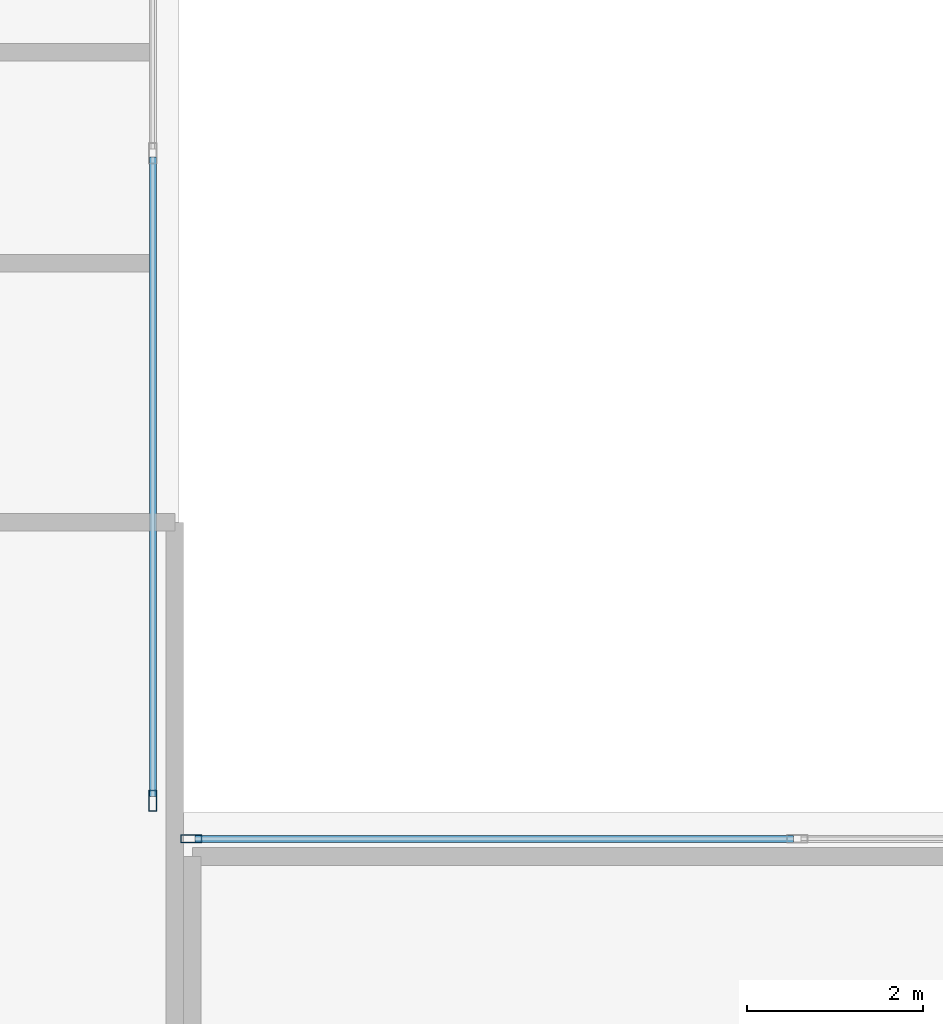
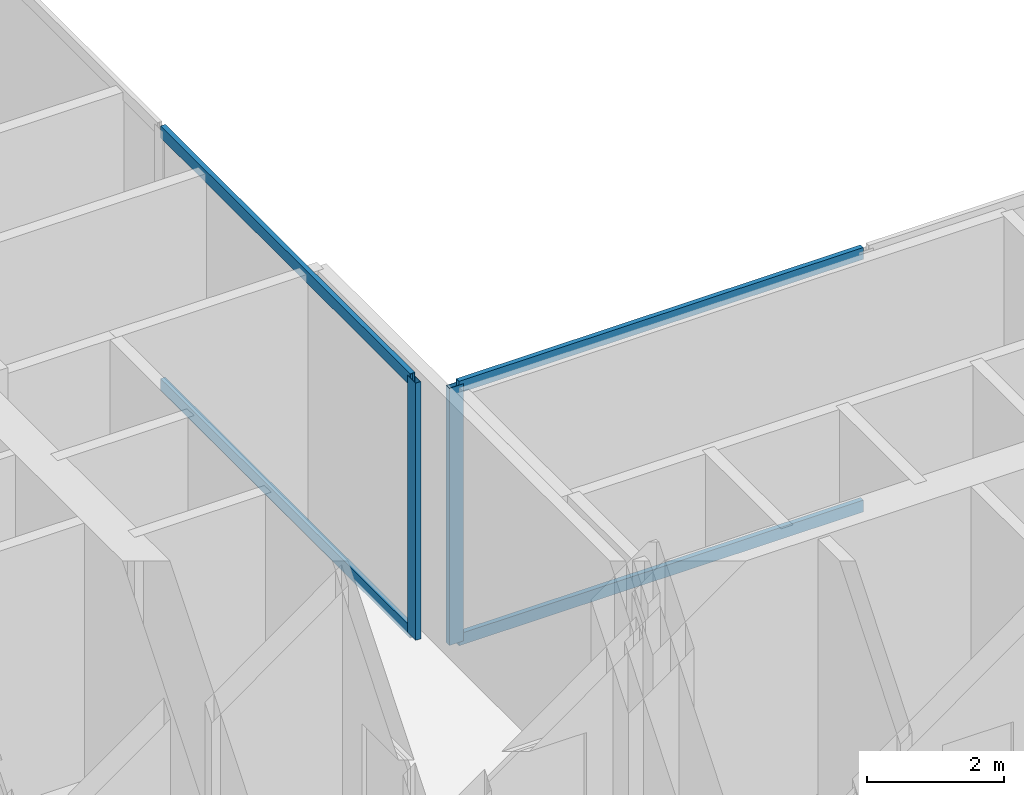
# One storey, part 7 of 25: 6 members, 2 elements without a shape of their own.
"""IFC4 building model written with IfcOpenShell, lengths in metres."""

from ifc_helpers import new_model, si_unit, direction, frame, origin, origin_2d, place, context, subcontext, project, spatial, hollow_rectangle, extrude, material, layer, layer_set, material_profile, profile_set, type_object, element, aggregate, save


model = new_model("IFC4")

# Units and contexts
model_context = context("Model", 3, precision=1e-05, world=origin(), true_north=direction((0.0, 1.0)))
body_context = subcontext(model_context, "Body", "Model", "MODEL_VIEW")
ifc_project = project(units=[si_unit("LENGTHUNIT", "METRE"), si_unit("AREAUNIT", "SQUARE_METRE"), si_unit("VOLUMEUNIT", "CUBIC_METRE"), si_unit("PLANEANGLEUNIT", "RADIAN"), si_unit("MASSUNIT", "GRAM", prefix="KILO"), si_unit("THERMODYNAMICTEMPERATUREUNIT", "KELVIN"), si_unit("POWERUNIT", "WATT")], contexts=[model_context])

# Site, building, storey
site_placement = place(None, origin())
site = spatial("IfcSite", under=ifc_project, at=site_placement, CompositionType="ELEMENT")
building_placement = place(site_placement, origin())
building = spatial("IfcBuilding", under=site, at=building_placement, Name="Svarakhadi Broadcast Tower", CompositionType="ELEMENT")
storey_placement = place(building_placement, frame((0.0, 0.0, 110.85009765625)))
storey = spatial("IfcBuildingStorey", under=building, at=storey_placement, Name="L26", CompositionType="ELEMENT", Elevation=110.85009765625)

# Curtain wall, member
ifc_material = material(Name="Anodised Bronze Aluminium AA 6063-T6", Category="aluminium")
ifc_layer = layer(ifc_material, 0.239990234375)
ifc_layer_set = layer_set([ifc_layer], Name="Anodised Bronze Aluminium AA 6063-T6")
curtain_wall_type = type_object("IfcCurtainWallType", Name="CW_Sys_06", PredefinedType="NOTDEFINED", material=ifc_layer_set)
curtain_wall_1_placement = place(storey_placement, origin())
curtain_wall_1 = element("IfcCurtainWall", 1, at=curtain_wall_1_placement, inside=storey, type_object=curtain_wall_type, Name="L26 Unitised Facade Curtain Wall 09", PredefinedType="NOTDEFINED")
ifc_material_profile_1 = material_profile(ifc_material, hollow_rectangle(XDim=0.090087890625, YDim=0.239990234375, WallThickness=0.006103515625, at=origin_2d()), Name="ALU MULLION 240x90x6")
ifc_profile_set_1 = profile_set([ifc_material_profile_1], Name="Anodised Bronze Aluminium AA 6063-T6")
member_type_1 = type_object("IfcMemberType", Name="CW_Sys_06_Mul", PredefinedType="MULLION", material=ifc_profile_set_1)
member_1_placement = place(storey_placement, frame((23.699951171875, 24.135009765625, 0.0), z_axis=(0.0, 0.0, 1.0), x_axis=(1.0, 0.0, 0.0)))
member_1 = element("IfcMember", 2, at=member_1_placement, type_object=member_type_1, Name="CW-06 mullion 3", PredefinedType="MULLION", context=body_context, shape_type="SweptSolid", body=[
    extrude(hollow_rectangle(XDim=0.090087890625, YDim=0.239990234375, WallThickness=0.006103515625, at=origin_2d()), origin(), (0.0, 0.0, 1.0), 4.574951171875),
])

curtain_wall_2_placement = place(storey_placement, origin())
curtain_wall_2 = element("IfcCurtainWall", 3, at=curtain_wall_2_placement, inside=storey, type_object=curtain_wall_type, Name="L26 Unitised Facade Curtain Wall 10", PredefinedType="NOTDEFINED")
member_2_placement = place(storey_placement, frame((24.135009765625, 23.699951171875, 0.0), z_axis=(0.0, 0.0, 1.0), x_axis=(0.0, 1.0, 0.0)))
member_2 = element("IfcMember", 4, at=member_2_placement, type_object=member_type_1, Name="CW-06 mullion 1", PredefinedType="MULLION", context=body_context, shape_type="SweptSolid", body=[
    extrude(hollow_rectangle(XDim=0.090087890625, YDim=0.239990234375, WallThickness=0.006103515625, at=origin_2d()), origin(), (0.0, 0.0, 1.0), 4.574951171875),
])

# Member
ifc_material_profile_2 = material_profile(ifc_material, hollow_rectangle(XDim=0.080078125, YDim=0.2099609375, WallThickness=0.0048828125, at=origin_2d()), Name="ALU TRANSOM 210x80x5")
ifc_profile_set_2 = profile_set([ifc_material_profile_2], Name="Anodised Bronze Aluminium AA 6063-T6")
member_type_2 = type_object("IfcMemberType", Name="CW_Sys_06_Trn", PredefinedType="USERDEFINED", material=ifc_profile_set_2)
member_3_placement = place(storey_placement, frame((23.699951171875, 31.455078125, 0.039794921875), z_axis=(0.0, -1.0, 0.0), x_axis=(1.0, 0.0, 0.0)))
member_3 = element("IfcMember", 5, at=member_3_placement, type_object=member_type_2, Name="CW-06 transom 2.1", ObjectType="TRANSOM", PredefinedType="USERDEFINED", context=body_context, shape_type="SweptSolid", body=[
    extrude(hollow_rectangle(XDim=0.080078125, YDim=0.2099609375, WallThickness=0.0048828125, at=origin_2d()), origin(), (0.0, 0.0, 1.0), 7.275146484375),
])

member_4_placement = place(storey_placement, frame((23.699951171875, 31.455078125, 4.534912109375), z_axis=(0.0, -1.0, 0.0), x_axis=(1.0, 0.0, 0.0)))
member_4 = element("IfcMember", 6, at=member_4_placement, type_object=member_type_2, Name="CW-06 transom 2.2", ObjectType="TRANSOM", PredefinedType="USERDEFINED", context=body_context, shape_type="SweptSolid", body=[
    extrude(hollow_rectangle(XDim=0.080078125, YDim=0.2099609375, WallThickness=0.0048828125, at=origin_2d()), origin(), (0.0, 0.0, 1.0), 7.275146484375),
])

aggregate(curtain_wall_1, [member_1, member_3, member_4])

member_5_placement = place(storey_placement, frame((24.179931640625, 23.699951171875, 0.039794921875), z_axis=(1.0, 0.0, 0.0), x_axis=(0.0, 1.0, 0.0)))
member_5 = element("IfcMember", 7, at=member_5_placement, type_object=member_type_2, Name="CW-06 transom 1.1", ObjectType="TRANSOM", PredefinedType="USERDEFINED", context=body_context, shape_type="SweptSolid", body=[
    extrude(hollow_rectangle(XDim=0.080078125, YDim=0.2099609375, WallThickness=0.0048828125, at=origin_2d()), origin(), (0.0, 0.0, 1.0), 6.80517578125),
])

member_6_placement = place(storey_placement, frame((24.179931640625, 23.699951171875, 4.534912109375), z_axis=(1.0, 0.0, 0.0), x_axis=(0.0, 1.0, 0.0)))
member_6 = element("IfcMember", 8, at=member_6_placement, type_object=member_type_2, Name="CW-06 transom 1.2", ObjectType="TRANSOM", PredefinedType="USERDEFINED", context=body_context, shape_type="SweptSolid", body=[
    extrude(hollow_rectangle(XDim=0.080078125, YDim=0.2099609375, WallThickness=0.0048828125, at=origin_2d()), origin(), (0.0, 0.0, 1.0), 6.80517578125),
])

aggregate(curtain_wall_2, [member_2, member_5, member_6])

save(model, "model.ifc")
